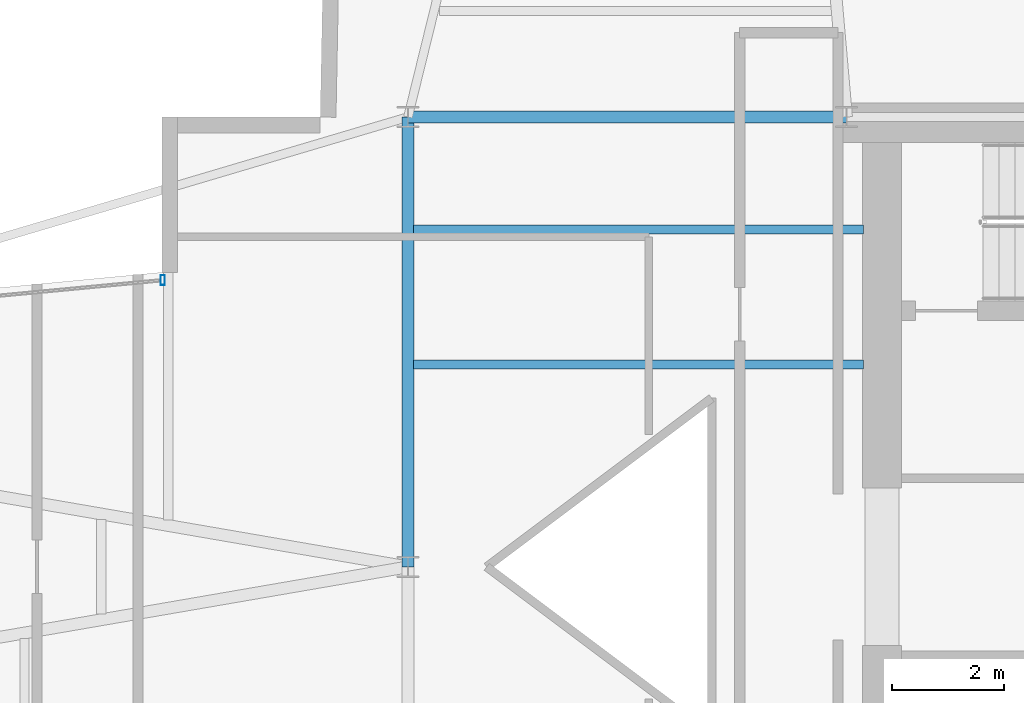
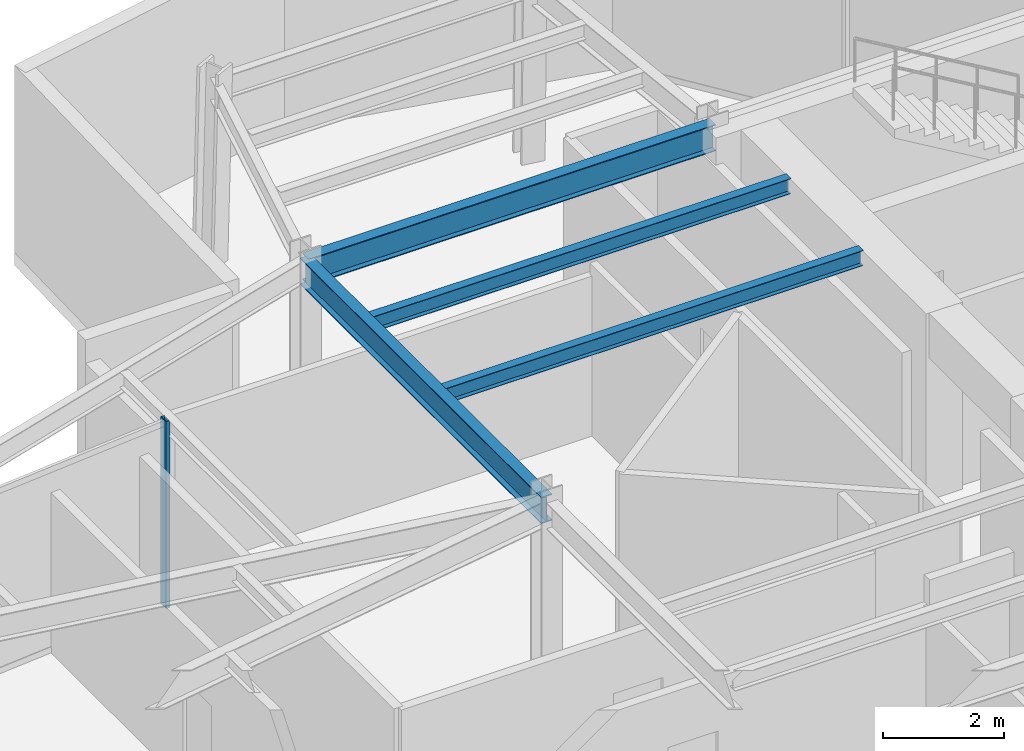
# One storey, part 10 of 21: 4 beams, 1 member, 1 element without a shape of its own.
"""IFC4 building model written with IfcOpenShell, lengths in metres."""

from ifc_helpers import new_model, si_unit, direction, frame, origin, origin_2d, place, context, subcontext, project, spatial, hollow_rectangle, i_section, extrude, material, layer, layer_set, material_profile, profile_set, type_object, element, aggregate, save


model = new_model("IFC4")

# Units and contexts
model_context = context("Model", 3, precision=1e-05, world=origin(), true_north=direction((0.0, 1.0)))
body_context = subcontext(model_context, "Body", "Model", "MODEL_VIEW")
ifc_project = project(units=[si_unit("LENGTHUNIT", "METRE"), si_unit("AREAUNIT", "SQUARE_METRE"), si_unit("VOLUMEUNIT", "CUBIC_METRE"), si_unit("PLANEANGLEUNIT", "RADIAN"), si_unit("MASSUNIT", "GRAM", prefix="KILO")], contexts=[model_context])

# Site, building, storey
site_placement = place(None, origin())
site = spatial("IfcSite", under=ifc_project, at=site_placement, CompositionType="ELEMENT")
building_placement = place(site_placement, origin())
building = spatial("IfcBuilding", under=site, at=building_placement, Name="Veymaron Broadcast Tower", CompositionType="ELEMENT")
storey_placement = place(building_placement, frame((0.0, 0.0, 232.35009765625)))
storey = spatial("IfcBuildingStorey", under=building, at=storey_placement, Name="L54", CompositionType="ELEMENT", Elevation=232.35009765625)

# Beams
ifc_material_1 = material(Name="Structural steel ASTM A992 Gr 50", Category="steel")
ifc_material_profile_1 = material_profile(ifc_material_1, i_section(OverallWidth=0.2099609375, OverallDepth=0.537109375, WebThickness=0.010986328125, FlangeThickness=0.017333984375, at=origin_2d()), Name="W530X101")
ifc_profile_set_1 = profile_set([ifc_material_profile_1], Name="Structural steel ASTM A992 Gr 50")
beam_type_1 = type_object("IfcBeamType", Name="BM-FG3", PredefinedType="BEAM", material=ifc_profile_set_1)
beam_1_placement = place(storey_placement, frame((31.199951171875, 24.0, 3.521484375), z_axis=(0.0, 1.0, 0.0), x_axis=(-1.0, 0.0, 0.0)))
element("IfcBeam", 1, at=beam_1_placement, inside=storey, type_object=beam_type_1, Name="L54 primary structural floor girder", PredefinedType="BEAM", context=body_context, shape_type="SweptSolid", body=[
    extrude(i_section(OverallWidth=0.2099609375, OverallDepth=0.537109375, WebThickness=0.010986328125, FlangeThickness=0.017333984375, at=origin_2d()), origin(), (0.0, 0.0, 1.0), 8.0),
])
beam_2_placement = place(storey_placement, frame((31.199951171875, 32.0, 3.521484375), z_axis=(1.0, 0.0, 0.0), x_axis=(0.0, 1.0, 0.0)))
element("IfcBeam", 2, at=beam_2_placement, inside=storey, type_object=beam_type_1, Name="L54 primary structural floor girder", PredefinedType="BEAM", context=body_context, shape_type="SweptSolid", body=[
    extrude(i_section(OverallWidth=0.2099609375, OverallDepth=0.537109375, WebThickness=0.010986328125, FlangeThickness=0.017333984375, at=origin_2d()), origin(), (0.0, 0.0, 1.0), 7.800048828125),
])
ifc_material_profile_2 = material_profile(ifc_material_1, i_section(OverallWidth=0.1650390625, OverallDepth=0.31005859375, WebThickness=0.005859375, FlangeThickness=0.009765625, at=origin_2d()), Name="W310X39")
ifc_profile_set_2 = profile_set([ifc_material_profile_2], Name="Structural steel ASTM A992 Gr 50")
beam_type_2 = type_object("IfcBeamType", Name="BM-JS3", PredefinedType="JOIST", material=ifc_profile_set_2)
for number, where, z_axis, x_axis, name in (
    (3, (31.300048828125, 27.60009765625, 3.635009765625), (1.0, 0.0, 0.0), (0.0, 1.0, 0.0), "L54 Hub secondary joist 3"),
    (4, (31.300048828125, 30.0, 3.635009765625), (1.0, 0.0, 0.0), (0.0, 1.0, 0.0), "L54 Hub secondary joist 4"),
):
    element("IfcBeam", number, at=place(storey_placement, frame(where, z_axis=z_axis, x_axis=x_axis)), inside=storey, type_object=beam_type_2, Name=name, PredefinedType="JOIST", context=body_context, shape_type="SweptSolid", body=[
        extrude(i_section(OverallWidth=0.1650390625, OverallDepth=0.31005859375, WebThickness=0.005859375, FlangeThickness=0.009765625, at=origin_2d()), origin(), (0.0, 0.0, 1.0), 8.0),
    ])

# Curtain wall, member
ifc_material_2 = material(Name="Anodised aluminium AA 6063-T6 and laminated low-E dark glass", Category="aluminium")
ifc_layer = layer(ifc_material_2, 0.179931640625)
ifc_layer_set = layer_set([ifc_layer], Name="Anodised aluminium AA 6063-T6 and laminated low-E dark glass")
curtain_wall_type = type_object("IfcCurtainWallType", Name="CW-SYS-05", PredefinedType="NOTDEFINED", material=ifc_layer_set)
curtain_wall_placement = place(storey_placement, origin())
curtain_wall = element("IfcCurtainWall", 5, at=curtain_wall_placement, inside=storey, type_object=curtain_wall_type, Name="L54 dark-glass curtain wall CW-L54-E11-1", PredefinedType="NOTDEFINED")
ifc_material_3 = material(Name="Anodised aluminium AA 6063-T6", Category="aluminium")
ifc_material_profile_3 = material_profile(ifc_material_3, hollow_rectangle(XDim=0.074951171875, YDim=0.179931640625, WallThickness=0.0048828125, at=origin_2d()), Name="AL180X75X5")
ifc_profile_set_3 = profile_set([ifc_material_profile_3], Name="Anodised aluminium AA 6063-T6")
member_type = type_object("IfcMemberType", Name="CW-MUL-02", PredefinedType="MULLION", material=ifc_profile_set_3)
member_placement = place(storey_placement, frame((26.837158203125, 29.09912109375, 0.0), z_axis=(0.0, 0.0, 1.0), x_axis=(1.0, 0.0, 0.0)))
member = element("IfcMember", 6, at=member_placement, type_object=member_type, Name="CW-L54-E11-1 mullion 0", PredefinedType="MULLION", context=body_context, shape_type="SweptSolid", body=[
    extrude(hollow_rectangle(XDim=0.074951171875, YDim=0.179931640625, WallThickness=0.0048828125, at=origin_2d()), origin(), (0.0, 0.0, 1.0), 3.789794921875),
])
aggregate(curtain_wall, [member])

save(model, "model.ifc")
